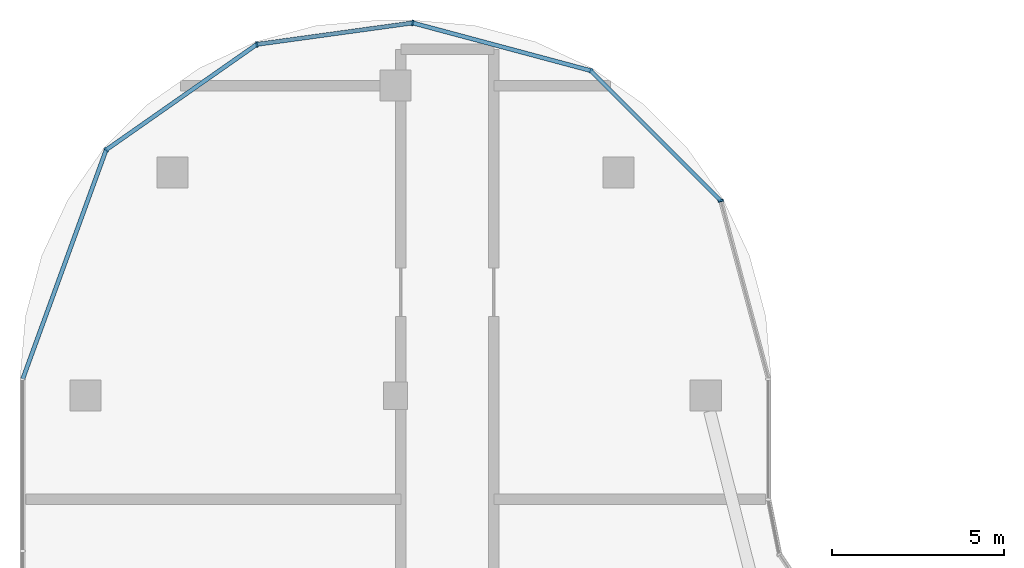
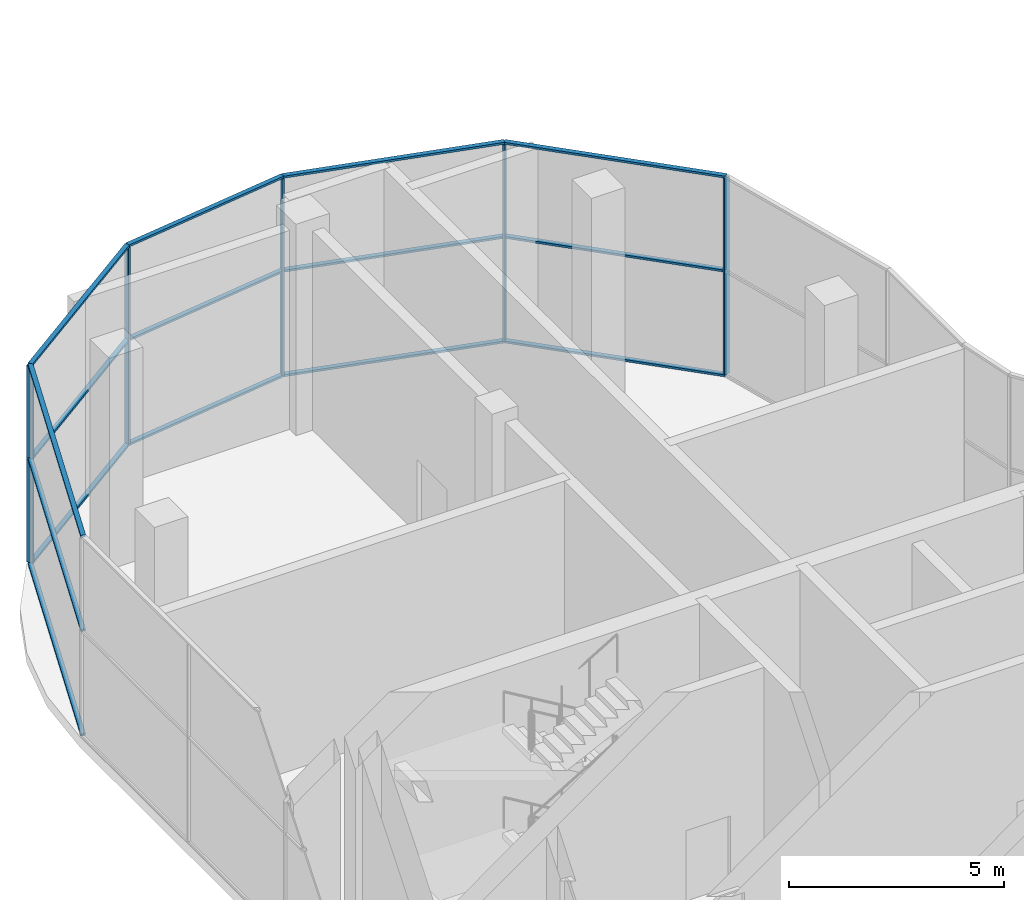
# One storey, part 10 of 19: 20 members, 1 element without a shape of its own.
"""IFC4 building model written with IfcOpenShell, lengths in metres."""

from ifc_helpers import new_model, si_unit, direction, frame, origin, origin_2d, place, context, subcontext, project, spatial, rectangle, extrude, material, material_profile, profile_set, type_object, element, aggregate, save


model = new_model("IFC4")

# Units and contexts
model_context = context("Model", 3, precision=1e-05, world=origin(), true_north=direction((0.0, 1.0)))
body_context = subcontext(model_context, "Body", "Model", "MODEL_VIEW")
ifc_project = project(units=[si_unit("LENGTHUNIT", "METRE"), si_unit("AREAUNIT", "SQUARE_METRE"), si_unit("VOLUMEUNIT", "CUBIC_METRE"), si_unit("PLANEANGLEUNIT", "RADIAN"), si_unit("MASSUNIT", "GRAM", prefix="KILO")], contexts=[model_context])

# Site, building, storey
site_placement = place(None, origin())
site = spatial("IfcSite", under=ifc_project, at=site_placement, CompositionType="ELEMENT")
building_placement = place(site_placement, origin())
building = spatial("IfcBuilding", under=site, at=building_placement, Name="Ogive Portal Towers", CompositionType="ELEMENT")
storey_placement = place(building_placement, frame((0.0, 0.0, 254.89990234375)))
storey = spatial("IfcBuildingStorey", under=building, at=storey_placement, Name="L63", CompositionType="ELEMENT", Elevation=254.89990234375)

# Curtain wall, members
ifc_material_1 = material(Name="Glass, clear low-iron insulated glazing", Category="glass")
curtain_wall_type = type_object("IfcCurtainWallType", Name="CW OBSERVATION WALL", PredefinedType="NOTDEFINED", material=ifc_material_1)
curtain_wall_placement = place(storey_placement, origin())
curtain_wall = element("IfcCurtainWall", 1, at=curtain_wall_placement, inside=storey, type_object=curtain_wall_type, Name="A:L63:f19:cwa", PredefinedType="NOTDEFINED")
ifc_material_2 = material(Name="Aluminium 6063 anodised", Category="aluminium")
ifc_material_profile_1 = material_profile(ifc_material_2, rectangle(XDim=0.159912109375, YDim=0.06005859375, at=origin_2d()), Name="AL 60x160")
ifc_profile_set_1 = profile_set([ifc_material_profile_1], Name="Aluminium 6063 anodised")
member_type_1 = type_object("IfcMemberType", Name="CW MULLION 60x160", PredefinedType="MULLION", material=ifc_profile_set_1)
member_1_placement = place(storey_placement, frame((49.93505859375, 54.15869140625, 0.06005859375), z_axis=(0.0, 0.0, 1.0), x_axis=(-0.965925826289, -0.258819045103, 0.0)))
member_1 = element("IfcMember", 2, at=member_1_placement, type_object=member_type_1, Name="mullion", PredefinedType="MULLION", context=body_context, shape_type="SweptSolid", body=[
    extrude(rectangle(XDim=0.159912109375, YDim=0.06005859375, at=origin_2d()), origin(), (0.0, 0.0, 1.0), 5.580078125),
])
member_2_placement = place(storey_placement, frame((46.15869140625, 57.93505859375, 0.06005859375), z_axis=(0.0, 0.0, 1.0), x_axis=(-0.707106781187, -0.707106781187, 0.0)))
member_2 = element("IfcMember", 3, at=member_2_placement, type_object=member_type_1, Name="mullion", PredefinedType="MULLION", context=body_context, shape_type="SweptSolid", body=[
    extrude(rectangle(XDim=0.159912109375, YDim=0.06005859375, at=origin_2d()), origin(), (0.0, 0.0, 1.0), 5.580078125),
])
member_3_placement = place(storey_placement, frame((40.994873046875, 59.318603515625, 0.06005859375), z_axis=(0.0, 0.0, 1.0), x_axis=(-0.258819045103, -0.965925826289, 0.0)))
member_3 = element("IfcMember", 4, at=member_3_placement, type_object=member_type_1, Name="mullion", PredefinedType="MULLION", context=body_context, shape_type="SweptSolid", body=[
    extrude(rectangle(XDim=0.159912109375, YDim=0.06005859375, at=origin_2d()), origin(), (0.0, 0.0, 1.0), 5.580078125),
])
member_4_placement = place(storey_placement, frame((36.47314453125, 58.6962890625, 0.06005859375), z_axis=(0.0, 0.0, 1.0), x_axis=(0.13634804852, -0.990660996338, 0.0)))
member_4 = element("IfcMember", 5, at=member_4_placement, type_object=member_type_1, Name="mullion", PredefinedType="MULLION", context=body_context, shape_type="SweptSolid", body=[
    extrude(rectangle(XDim=0.159912109375, YDim=0.06005859375, at=origin_2d()), origin(), (0.0, 0.0, 1.0), 5.580078125),
])
member_5_placement = place(storey_placement, frame((32.099609375, 55.634033203125, 0.06005859375), z_axis=(0.0, 0.0, 1.0), x_axis=(0.573576436351, -0.819152044289, 0.0)))
member_5 = element("IfcMember", 6, at=member_5_placement, type_object=member_type_1, Name="mullion", PredefinedType="MULLION", context=body_context, shape_type="SweptSolid", body=[
    extrude(rectangle(XDim=0.159912109375, YDim=0.06005859375, at=origin_2d()), origin(), (0.0, 0.0, 1.0), 5.580078125),
])
ifc_material_profile_2 = material_profile(ifc_material_2, rectangle(XDim=0.1201171875, YDim=0.06005859375, at=origin_2d()), Name="AL 120x60")
ifc_profile_set_2 = profile_set([ifc_material_profile_2], Name="Aluminium 6063 anodised")
member_type_2 = type_object("IfcMemberType", Name="CW TRANSOM 60x120", PredefinedType="USERDEFINED", material=ifc_profile_set_2)
member_6_placement = place(storey_placement, frame((49.93505859375, 54.15869140625, 0.030029296875), z_axis=(-0.707106781187, 0.707106781187, 0.0), x_axis=(-0.707106781187, -0.707106781187, 0.0)))
member_6 = element("IfcMember", 7, at=member_6_placement, type_object=member_type_2, Name="transom", ObjectType="TRANSOM", PredefinedType="USERDEFINED", context=body_context, shape_type="SweptSolid", body=[
    extrude(rectangle(XDim=0.1201171875, YDim=0.06005859375, at=origin_2d()), origin(), (0.0, 0.0, 1.0), 5.340576171875),
])
member_7_placement = place(storey_placement, frame((49.93505859375, 54.15869140625, 3.0), z_axis=(-0.707106781187, 0.707106781187, 0.0), x_axis=(-0.707106781187, -0.707106781187, 0.0)))
member_7 = element("IfcMember", 8, at=member_7_placement, type_object=member_type_2, Name="transom", ObjectType="TRANSOM", PredefinedType="USERDEFINED", context=body_context, shape_type="SweptSolid", body=[
    extrude(rectangle(XDim=0.1201171875, YDim=0.06005859375, at=origin_2d()), origin(), (0.0, 0.0, 1.0), 5.340576171875),
])
member_8_placement = place(storey_placement, frame((49.93505859375, 54.15869140625, 5.670166015625), z_axis=(-0.707106781187, 0.707106781187, 0.0), x_axis=(-0.707106781187, -0.707106781187, 0.0)))
member_8 = element("IfcMember", 9, at=member_8_placement, type_object=member_type_2, Name="transom", ObjectType="TRANSOM", PredefinedType="USERDEFINED", context=body_context, shape_type="SweptSolid", body=[
    extrude(rectangle(XDim=0.1201171875, YDim=0.06005859375, at=origin_2d()), origin(), (0.0, 0.0, 1.0), 5.340576171875),
])
member_9_placement = place(storey_placement, frame((46.15869140625, 57.93505859375, 0.030029296875), z_axis=(-0.965930317269, 0.258802283956, 0.0), x_axis=(-0.258802283956, -0.965930317269, 0.0)))
member_9 = element("IfcMember", 10, at=member_9_placement, type_object=member_type_2, Name="transom", ObjectType="TRANSOM", PredefinedType="USERDEFINED", context=body_context, shape_type="SweptSolid", body=[
    extrude(rectangle(XDim=0.1201171875, YDim=0.06005859375, at=origin_2d()), origin(), (0.0, 0.0, 1.0), 5.345947265625),
])
member_10_placement = place(storey_placement, frame((46.15869140625, 57.93505859375, 3.0), z_axis=(-0.965930317269, 0.258802283956, 0.0), x_axis=(-0.258802283956, -0.965930317269, 0.0)))
member_10 = element("IfcMember", 11, at=member_10_placement, type_object=member_type_2, Name="transom", ObjectType="TRANSOM", PredefinedType="USERDEFINED", context=body_context, shape_type="SweptSolid", body=[
    extrude(rectangle(XDim=0.1201171875, YDim=0.06005859375, at=origin_2d()), origin(), (0.0, 0.0, 1.0), 5.345947265625),
])
member_11_placement = place(storey_placement, frame((46.15869140625, 57.93505859375, 5.670166015625), z_axis=(-0.965930317269, 0.258802283956, 0.0), x_axis=(-0.258802283956, -0.965930317269, 0.0)))
member_11 = element("IfcMember", 12, at=member_11_placement, type_object=member_type_2, Name="transom", ObjectType="TRANSOM", PredefinedType="USERDEFINED", context=body_context, shape_type="SweptSolid", body=[
    extrude(rectangle(XDim=0.1201171875, YDim=0.06005859375, at=origin_2d()), origin(), (0.0, 0.0, 1.0), 5.345947265625),
])
member_12_placement = place(storey_placement, frame((40.994873046875, 59.318603515625, 0.030029296875), z_axis=(-0.990661779064, -0.136342361365, 0.0), x_axis=(0.136342361365, -0.990661779064, 0.0)))
member_12 = element("IfcMember", 13, at=member_12_placement, type_object=member_type_2, Name="transom", ObjectType="TRANSOM", PredefinedType="USERDEFINED", context=body_context, shape_type="SweptSolid", body=[
    extrude(rectangle(XDim=0.1201171875, YDim=0.06005859375, at=origin_2d()), origin(), (0.0, 0.0, 1.0), 4.564453125),
])
member_13_placement = place(storey_placement, frame((40.994873046875, 59.318603515625, 3.0), z_axis=(-0.990661779064, -0.136342361365, 0.0), x_axis=(0.136342361365, -0.990661779064, 0.0)))
member_13 = element("IfcMember", 14, at=member_13_placement, type_object=member_type_2, Name="transom", ObjectType="TRANSOM", PredefinedType="USERDEFINED", context=body_context, shape_type="SweptSolid", body=[
    extrude(rectangle(XDim=0.1201171875, YDim=0.06005859375, at=origin_2d()), origin(), (0.0, 0.0, 1.0), 4.564453125),
])
member_14_placement = place(storey_placement, frame((40.994873046875, 59.318603515625, 5.670166015625), z_axis=(-0.990661779064, -0.136342361365, 0.0), x_axis=(0.136342361365, -0.990661779064, 0.0)))
member_14 = element("IfcMember", 15, at=member_14_placement, type_object=member_type_2, Name="transom", ObjectType="TRANSOM", PredefinedType="USERDEFINED", context=body_context, shape_type="SweptSolid", body=[
    extrude(rectangle(XDim=0.1201171875, YDim=0.06005859375, at=origin_2d()), origin(), (0.0, 0.0, 1.0), 4.564453125),
])
member_15_placement = place(storey_placement, frame((36.47314453125, 58.6962890625, 0.030029296875), z_axis=(-0.819163169873, -0.573560547042, 0.0), x_axis=(0.573560547042, -0.819163169873, 0.0)))
member_15 = element("IfcMember", 16, at=member_15_placement, type_object=member_type_2, Name="transom", ObjectType="TRANSOM", PredefinedType="USERDEFINED", context=body_context, shape_type="SweptSolid", body=[
    extrude(rectangle(XDim=0.1201171875, YDim=0.06005859375, at=origin_2d()), origin(), (0.0, 0.0, 1.0), 5.339111328125),
])
member_16_placement = place(storey_placement, frame((36.47314453125, 58.6962890625, 3.0), z_axis=(-0.819163169873, -0.573560547042, 0.0), x_axis=(0.573560547042, -0.819163169873, 0.0)))
member_16 = element("IfcMember", 17, at=member_16_placement, type_object=member_type_2, Name="transom", ObjectType="TRANSOM", PredefinedType="USERDEFINED", context=body_context, shape_type="SweptSolid", body=[
    extrude(rectangle(XDim=0.1201171875, YDim=0.06005859375, at=origin_2d()), origin(), (0.0, 0.0, 1.0), 5.339111328125),
])
member_17_placement = place(storey_placement, frame((36.47314453125, 58.6962890625, 5.670166015625), z_axis=(-0.819163169873, -0.573560547042, 0.0), x_axis=(0.573560547042, -0.819163169873, 0.0)))
member_17 = element("IfcMember", 18, at=member_17_placement, type_object=member_type_2, Name="transom", ObjectType="TRANSOM", PredefinedType="USERDEFINED", context=body_context, shape_type="SweptSolid", body=[
    extrude(rectangle(XDim=0.1201171875, YDim=0.06005859375, at=origin_2d()), origin(), (0.0, 0.0, 1.0), 5.339111328125),
])
member_18_placement = place(storey_placement, frame((32.099609375, 55.634033203125, 0.030029296875), z_axis=(-0.342011810874, -0.939695653508, 0.0), x_axis=(0.939695653508, -0.342011810874, 0.0)))
member_18 = element("IfcMember", 19, at=member_18_placement, type_object=member_type_2, Name="transom", ObjectType="TRANSOM", PredefinedType="USERDEFINED", context=body_context, shape_type="SweptSolid", body=[
    extrude(rectangle(XDim=0.1201171875, YDim=0.06005859375, at=origin_2d()), origin(), (0.0, 0.0, 1.0), 7.074951171875),
])
member_19_placement = place(storey_placement, frame((32.099609375, 55.634033203125, 3.0), z_axis=(-0.342011810874, -0.939695653508, 0.0), x_axis=(0.939695653508, -0.342011810874, 0.0)))
member_19 = element("IfcMember", 20, at=member_19_placement, type_object=member_type_2, Name="transom", ObjectType="TRANSOM", PredefinedType="USERDEFINED", context=body_context, shape_type="SweptSolid", body=[
    extrude(rectangle(XDim=0.1201171875, YDim=0.06005859375, at=origin_2d()), origin(), (0.0, 0.0, 1.0), 7.074951171875),
])
member_20_placement = place(storey_placement, frame((32.099609375, 55.634033203125, 5.670166015625), z_axis=(-0.342011810874, -0.939695653508, 0.0), x_axis=(0.939695653508, -0.342011810874, 0.0)))
member_20 = element("IfcMember", 21, at=member_20_placement, type_object=member_type_2, Name="transom", ObjectType="TRANSOM", PredefinedType="USERDEFINED", context=body_context, shape_type="SweptSolid", body=[
    extrude(rectangle(XDim=0.1201171875, YDim=0.06005859375, at=origin_2d()), origin(), (0.0, 0.0, 1.0), 7.074951171875),
])
aggregate(curtain_wall, [member_6, member_7, member_8, member_9, member_10, member_11, member_12, member_13, member_14, member_15, member_16, member_17, member_18, member_19, member_20, member_1, member_2, member_3, member_4, member_5])

save(model, "model.ifc")
